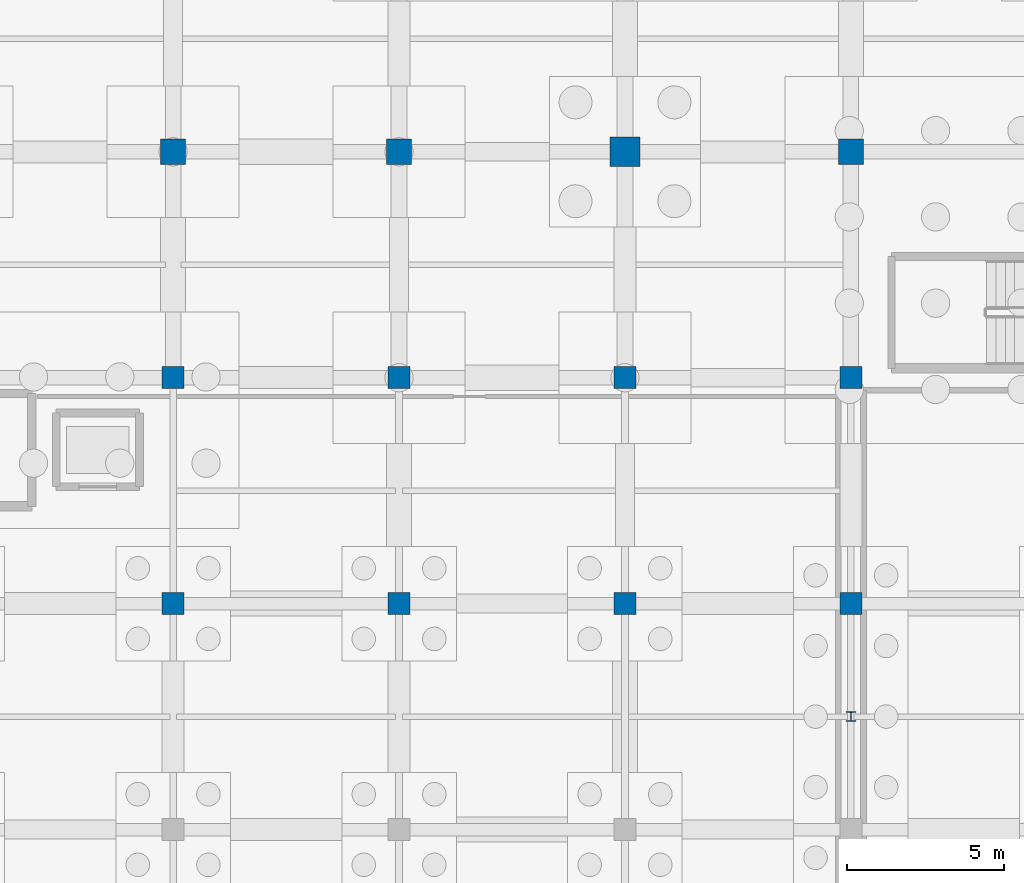
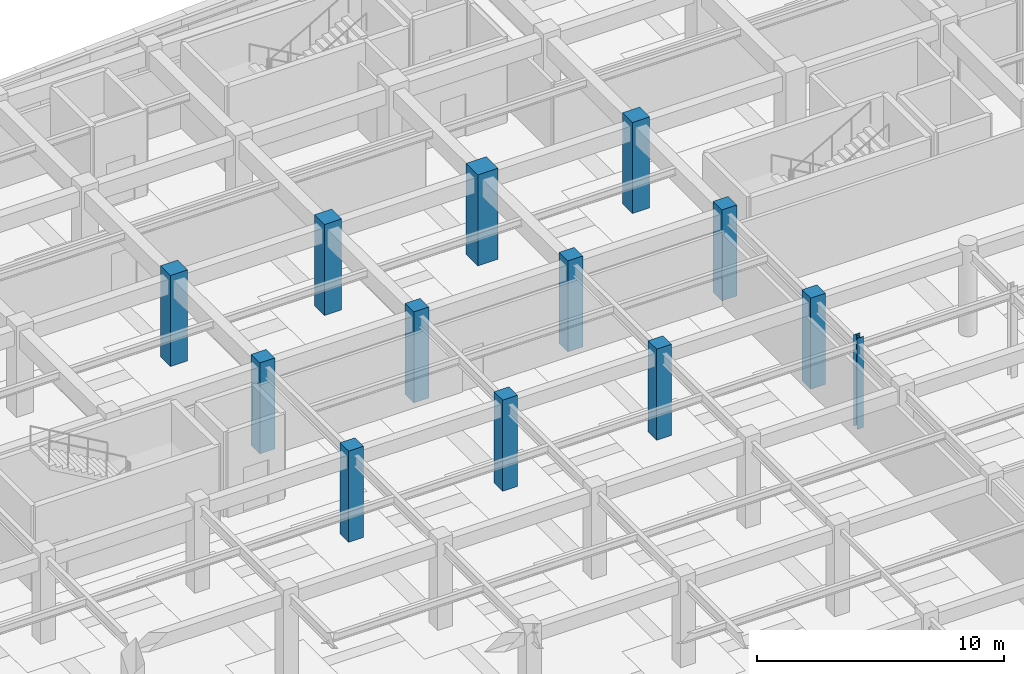
# One storey, part 18 of 48: 13 columns.
"""IFC4 building model written with IfcOpenShell, lengths in metres."""

from ifc_helpers import new_model, si_unit, direction, frame, origin, origin_2d, place, context, subcontext, project, spatial, rectangle, i_section, extrude, material, material_profile, profile_set, type_object, element, save


model = new_model("IFC4")

# Units and contexts
model_context = context("Model", 3, precision=1e-05, world=origin(), true_north=direction((0.0, 1.0)))
body_context = subcontext(model_context, "Body", "Model", "MODEL_VIEW")
ifc_project = project(units=[si_unit("LENGTHUNIT", "METRE"), si_unit("AREAUNIT", "SQUARE_METRE"), si_unit("VOLUMEUNIT", "CUBIC_METRE"), si_unit("PLANEANGLEUNIT", "RADIAN"), si_unit("MASSUNIT", "GRAM", prefix="KILO")], contexts=[model_context])

# Site, building, storey
site_placement = place(None, origin())
site = spatial("IfcSite", under=ifc_project, at=site_placement, CompositionType="ELEMENT")
building_placement = place(site_placement, origin())
building = spatial("IfcBuilding", under=site, at=building_placement, Name="Carrowvane Square Congress Hotel", CompositionType="ELEMENT")
storey_placement = place(building_placement, frame((0.0, 0.0, -4.5)))
storey = spatial("IfcBuildingStorey", under=building, at=storey_placement, Name="B01", CompositionType="ELEMENT", Elevation=-4.5)

# Columns
ifc_material_1 = material(Name="Concrete C40/50", Category="concrete")
ifc_material_profile_1 = material_profile(ifc_material_1, rectangle(XDim=0.699951171875, YDim=0.699951171875, at=origin_2d()), Name="RC 700x700")
ifc_profile_set_1 = profile_set([ifc_material_profile_1], Name="Concrete C40/50")
column_type_1 = type_object("IfcColumnType", Name="COL-RC-700", PredefinedType="COLUMN", material=ifc_profile_set_1)
for number, where, z_axis, x_axis, name in (
    (1, (47.60009765625, 84.60009765625, 0.0), (0.0, 0.0, 1.0), (1.0, 0.0, 0.0), "B01 column 6/M"),
    (2, (47.60009765625, 91.800048828125, 0.0), (0.0, 0.0, 1.0), (1.0, 0.0, 0.0), "B01 column 6/N"),
    (3, (54.800048828125, 84.60009765625, 0.0), (0.0, 0.0, 1.0), (1.0, 0.0, 0.0), "B01 column 7/M"),
    (4, (54.800048828125, 91.800048828125, 0.0), (0.0, 0.0, 1.0), (1.0, 0.0, 0.0), "B01 column 7/N"),
    (5, (62.0, 84.60009765625, 0.0), (0.0, 0.0, 1.0), (1.0, 0.0, 0.0), "B01 column 8/M"),
    (6, (62.0, 91.800048828125, 0.0), (0.0, 0.0, 1.0), (1.0, 0.0, 0.0), "B01 column 8/N"),
    (7, (69.199951171875, 84.60009765625, 0.0), (0.0, 0.0, 1.0), (1.0, 0.0, 0.0), "B01 column 9/M"),
    (8, (69.199951171875, 91.800048828125, 0.0), (0.0, 0.0, 1.0), (1.0, 0.0, 0.0), "B01 column 9/N"),
):
    element("IfcColumn", number, at=place(storey_placement, frame(where, z_axis=z_axis, x_axis=x_axis)), inside=storey, type_object=column_type_1, Name=name, PredefinedType="COLUMN", context=body_context, shape_type="SweptSolid", body=[
        extrude(rectangle(XDim=0.699951171875, YDim=0.699951171875, at=origin_2d()), origin(), (0.0, 0.0, 1.0), 4.5),
    ])
ifc_material_2 = material(Name="Concrete C40/50", Category="concrete")
ifc_material_profile_2 = material_profile(ifc_material_2, rectangle(XDim=0.800048828125, YDim=0.800048828125, at=origin_2d()), Name="RC 800x800")
ifc_profile_set_2 = profile_set([ifc_material_profile_2], Name="Concrete C40/50")
column_type_2 = type_object("IfcColumnType", Name="COL-RC-800", PredefinedType="COLUMN", material=ifc_profile_set_2)
for number, where, z_axis, x_axis, name in (
    (9, (47.60009765625, 99.0, 0.0), (0.0, 0.0, 1.0), (1.0, 0.0, 0.0), "B01 column 6/P"),
    (10, (54.800048828125, 99.0, 0.0), (0.0, 0.0, 1.0), (1.0, 0.0, 0.0), "B01 column 7/P"),
    (11, (69.199951171875, 99.0, 0.0), (0.0, 0.0, 1.0), (1.0, 0.0, 0.0), "B01 column 9/P"),
):
    element("IfcColumn", number, at=place(storey_placement, frame(where, z_axis=z_axis, x_axis=x_axis)), inside=storey, type_object=column_type_2, Name=name, PredefinedType="COLUMN", context=body_context, shape_type="SweptSolid", body=[
        extrude(rectangle(XDim=0.800048828125, YDim=0.800048828125, at=origin_2d()), origin(), (0.0, 0.0, 1.0), 4.5),
    ])
ifc_material_3 = material(Name="Steel S355", Category="steel")
ifc_material_profile_3 = material_profile(ifc_material_3, i_section(OverallWidth=0.300048828125, OverallDepth=0.300048828125, WebThickness=0.010986328125, FlangeThickness=0.01904296875, FilletRadius=0.027099609375, at=origin_2d()), Name="HEB 300")
ifc_profile_set_3 = profile_set([ifc_material_profile_3], Name="Steel S355")
column_type_3 = type_object("IfcColumnType", Name="COL-ST-HEB300", PredefinedType="COLUMN", material=ifc_profile_set_3)
column_1_placement = place(storey_placement, frame((69.199951171875, 81.0, 0.0), z_axis=(0.0, 0.0, 1.0), x_axis=(1.0, 0.0, 0.0)))
element("IfcColumn", 12, at=column_1_placement, inside=storey, type_object=column_type_3, Name="B01 column V6X69/RG", PredefinedType="COLUMN", context=body_context, shape_type="SweptSolid", body=[
    extrude(i_section(OverallWidth=0.300048828125, OverallDepth=0.300048828125, WebThickness=0.010986328125, FlangeThickness=0.01904296875, FilletRadius=0.027099609375, at=origin_2d()), origin(), (0.0, 0.0, 1.0), 4.5),
])
ifc_material_4 = material(Name="Concrete C40/50", Category="concrete")
ifc_material_profile_4 = material_profile(ifc_material_4, rectangle(XDim=0.949951171875, YDim=0.949951171875, at=origin_2d()), Name="RC 950x950")
ifc_profile_set_4 = profile_set([ifc_material_profile_4], Name="Concrete C40/50")
column_type_4 = type_object("IfcColumnType", Name="MCOL-RC-1000", PredefinedType="COLUMN", material=ifc_profile_set_4)
column_2_placement = place(storey_placement, frame((62.0, 99.0, 0.0), z_axis=(0.0, 0.0, 1.0), x_axis=(1.0, 0.0, 0.0)))
element("IfcColumn", 13, at=column_2_placement, inside=storey, type_object=column_type_4, Name="B01 column 8/P", PredefinedType="COLUMN", context=body_context, shape_type="SweptSolid", body=[
    extrude(rectangle(XDim=0.949951171875, YDim=0.949951171875, at=origin_2d()), origin(), (0.0, 0.0, 1.0), 4.5),
])

save(model, "model.ifc")
